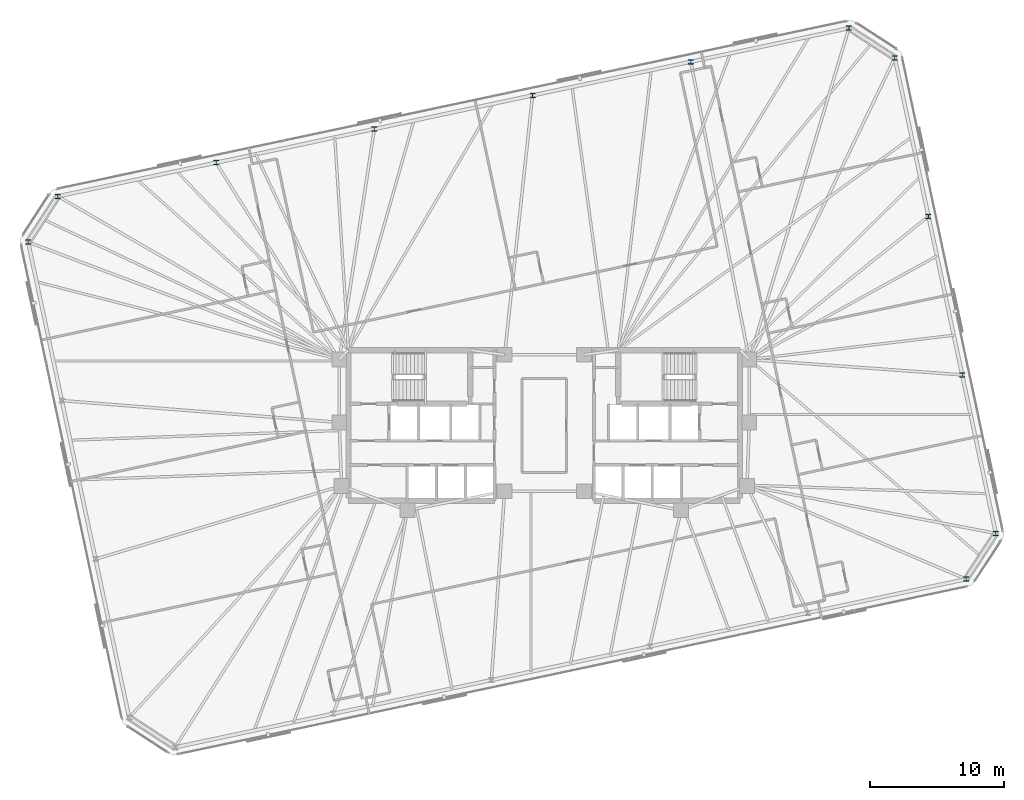
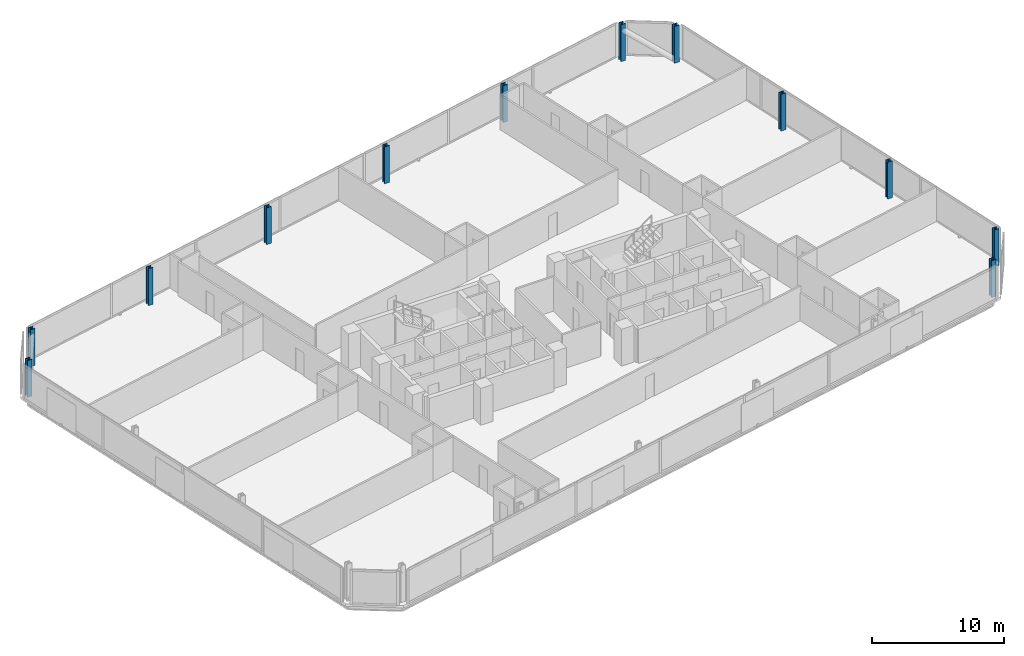
# One storey, part 5 of 19: 12 columns.
"""IFC4 building model written with IfcOpenShell, lengths in metres."""

from ifc_helpers import new_model, si_unit, direction, frame, origin, origin_2d, place, context, subcontext, project, spatial, i_section, extrude, material, material_profile, profile_set, type_object, element, save


model = new_model("IFC4")

# Units and contexts
model_context = context("Model", 3, precision=1e-05, world=origin(), true_north=direction((0.0, 1.0)))
body_context = subcontext(model_context, "Body", "Model", "MODEL_VIEW")
ifc_project = project(units=[si_unit("LENGTHUNIT", "METRE"), si_unit("AREAUNIT", "SQUARE_METRE"), si_unit("VOLUMEUNIT", "CUBIC_METRE"), si_unit("PLANEANGLEUNIT", "RADIAN"), si_unit("MASSUNIT", "GRAM", prefix="KILO")], contexts=[model_context])

# Site, building, storey
site_placement = place(None, origin())
site = spatial("IfcSite", under=ifc_project, at=site_placement, CompositionType="ELEMENT")
building_placement = place(site_placement, origin())
building = spatial("IfcBuilding", under=site, at=building_placement, Name="Menara Jurai Vektor", CompositionType="ELEMENT")
storey_placement = place(building_placement, frame((0.0, 0.0, 171.800048828125)))
storey = spatial("IfcBuildingStorey", under=building, at=storey_placement, Name="L44", CompositionType="ELEMENT", Elevation=171.800048828125)

# Columns
ifc_material = material(Name="Steel S460", Category="steel")
ifc_material_profile = material_profile(ifc_material, i_section(OverallWidth=0.408935546875, OverallDepth=0.3740234375, WebThickness=0.048095703125, FlangeThickness=0.076904296875, FilletRadius=0.014892578125, at=origin_2d()), Name="HD 400x634")
ifc_profile_set = profile_set([ifc_material_profile], Name="Steel S460")
column_type = type_object("IfcColumnType", Name="STR-EXO-BLK3", PredefinedType="COLUMN", material=ifc_profile_set)
for number, where, z_axis, x_axis, name in (
    (1, (31.376220703125, -11.438720703125, 0.0), (0.0, 0.0, 1.0), (1.0, 0.0, 0.0), "Exoskeleton Column BLK3-S6 L44"),
    (2, (33.588623046875, -8.031982421875, 0.0), (0.0, 0.0, 1.0), (1.0, 0.0, 0.0), "Exoskeleton Column BLK3-E1 L44"),
    (3, (31.082763671875, 3.75634765625, 0.0), (0.0, 0.0, 1.0), (1.0, 0.0, 0.0), "Exoskeleton Column BLK3-E2 L44"),
    (4, (28.5771484375, 15.544921875, 0.0), (0.0, 0.0, 1.0), (1.0, 0.0, 0.0), "Exoskeleton Column BLK3-E3 L44"),
    (5, (26.0712890625, 27.33349609375, 0.0), (0.0, 0.0, 1.0), (1.0, 0.0, 0.0), "Exoskeleton Column BLK3-E4 L44"),
    (6, (22.664794921875, 29.545654296875, 0.0), (0.0, 0.0, 1.0), (1.0, 0.0, 0.0), "Exoskeleton Column BLK3-N1 L44"),
    (7, (10.896484375, 27.044189453125, 0.0), (0.0, 0.0, 1.0), (1.0, 0.0, 0.0), "Exoskeleton Column BLK3-N2 L44"),
    (8, (-0.87158203125, 24.54296875, 0.0), (0.0, 0.0, 1.0), (1.0, 0.0, 0.0), "Exoskeleton Column BLK3-N3 L44"),
    (9, (-12.639892578125, 22.04150390625, 0.0), (0.0, 0.0, 1.0), (1.0, 0.0, 0.0), "Exoskeleton Column BLK3-N4 L44"),
    (10, (-24.407958984375, 19.5400390625, 0.0), (0.0, 0.0, 1.0), (1.0, 0.0, 0.0), "Exoskeleton Column BLK3-N5 L44"),
    (11, (-36.17626953125, 17.03857421875, 0.0), (0.0, 0.0, 1.0), (1.0, 0.0, 0.0), "Exoskeleton Column BLK3-N6 L44"),
    (12, (-38.388671875, 13.632080078125, 0.0), (0.0, 0.0, 1.0), (1.0, 0.0, 0.0), "Exoskeleton Column BLK3-W1 L44"),
):
    element("IfcColumn", number, at=place(storey_placement, frame(where, z_axis=z_axis, x_axis=x_axis)), inside=storey, type_object=column_type, Name=name, PredefinedType="COLUMN", context=body_context, shape_type="SweptSolid", body=[
        extrude(i_section(OverallWidth=0.408935546875, OverallDepth=0.3740234375, WebThickness=0.048095703125, FlangeThickness=0.076904296875, FilletRadius=0.014892578125, at=origin_2d()), origin(), (0.0, 0.0, 1.0), 3.39990234375),
    ])

save(model, "model.ifc")
